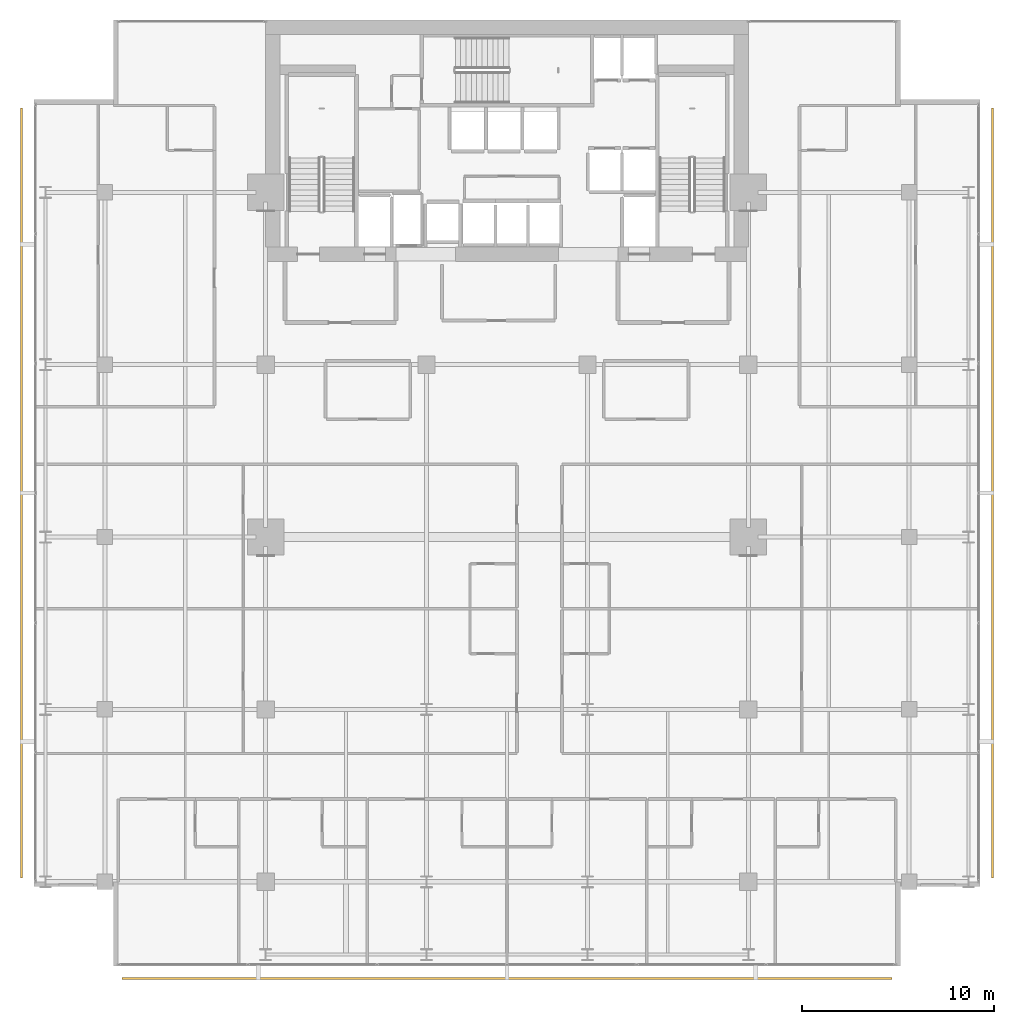
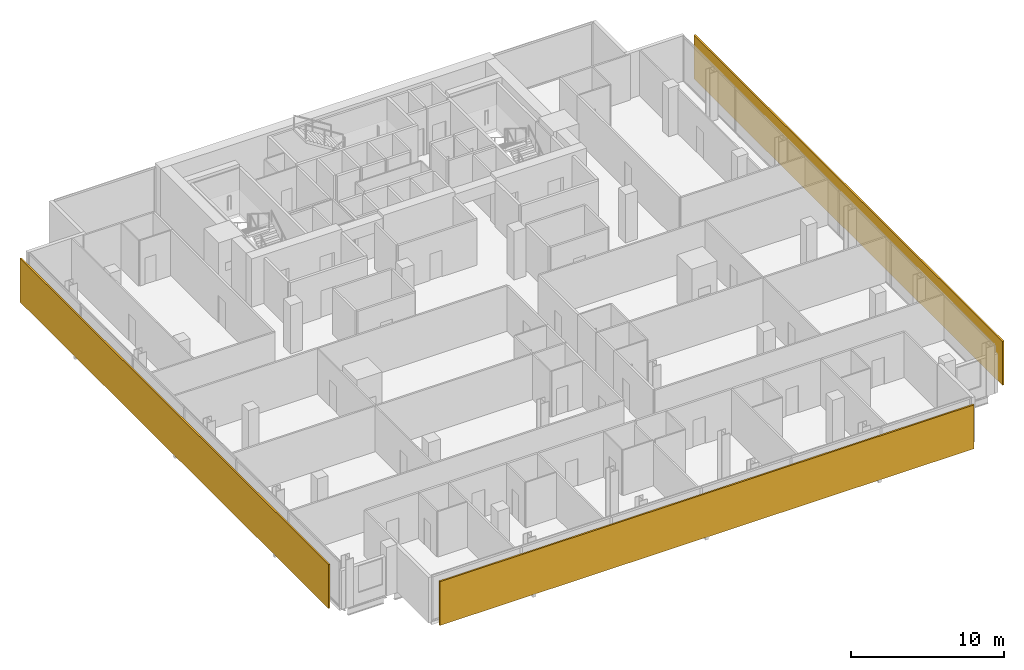
# One storey, part 32 of 33: 3 shading devices.
"""IFC4 building model written with IfcOpenShell, lengths in metres."""

from ifc_helpers import new_model, si_unit, direction, frame, origin, origin_2d, place, context, subcontext, project, spatial, rectangle, extrude, material, layer, layer_set, type_object, element, save


model = new_model("IFC4")

# Units and contexts
model_context = context("Model", 3, precision=1e-05, world=origin(), true_north=direction((0.0, 1.0)))
body_context = subcontext(model_context, "Body", "Model", "MODEL_VIEW")
ifc_project = project(units=[si_unit("LENGTHUNIT", "METRE"), si_unit("AREAUNIT", "SQUARE_METRE"), si_unit("VOLUMEUNIT", "CUBIC_METRE"), si_unit("PLANEANGLEUNIT", "RADIAN"), si_unit("MASSUNIT", "GRAM", prefix="KILO")], contexts=[model_context])

# Site, building, storey
site_placement = place(None, origin())
site = spatial("IfcSite", under=ifc_project, at=site_placement, CompositionType="ELEMENT")
building_placement = place(site_placement, origin())
building = spatial("IfcBuilding", under=site, at=building_placement, Name="Maruvema Waterfront Hotel and Observation Tower", CompositionType="ELEMENT")
storey_placement = place(building_placement, frame((0.0, 0.0, 196.699951171875)))
storey = spatial("IfcBuildingStorey", under=building, at=storey_placement, Name="L48", CompositionType="ELEMENT", Elevation=196.699951171875)

# Shading devices
ifc_material = material(Name="Honed travertine stone and anodised architectural bronze", Category="masonry")
ifc_layer = layer(ifc_material, 0.1201171875, Name="Ventilated Outer Skin Cobogo Stone-and-Bronze Screen 120 mm")
ifc_layer_set = layer_set([ifc_layer], Name="Honed travertine stone and anodised architectural bronze")
shading_device_type = type_object("IfcShadingDeviceType", Name="Ventilated Outer Skin Cobogo Stone-and-Bronze Screen 120 mm", PredefinedType="USERDEFINED", material=ifc_layer_set)
for number, where, z_axis, x_axis, name in (
    (1, (37.800048828125, 3.949951171875, 0.06005859375), (0.0, 0.0, 1.0), (1.0, 0.0, 0.0), "L48 Ventilated Double-Skin Outer Cobogo Screen OS-L48-S"),
    (2, (63.14990234375, 29.300048828125, 0.06005859375), (0.0, 0.0, 1.0), (0.0, 1.0, 0.0), "L48 Ventilated Double-Skin Outer Cobogo Screen OS-L48-E"),
    (3, (12.449951171875, 29.300048828125, 0.06005859375), (0.0, 0.0, 1.0), (0.0, -1.0, 0.0), "L48 Ventilated Double-Skin Outer Cobogo Screen OS-L48-W"),
):
    element("IfcShadingDevice", number, at=place(storey_placement, frame(where, z_axis=z_axis, x_axis=x_axis)), inside=storey, type_object=shading_device_type, Name=name, ObjectType="OUTER SKIN SCREEN", PredefinedType="USERDEFINED", context=body_context, shape_type="SweptSolid", body=[
        extrude(rectangle(XDim=40.199951171875, YDim=0.1201171875, at=origin_2d()), origin(), (0.0, 0.0, 1.0), 3.489990234375),
    ])

save(model, "model.ifc")
